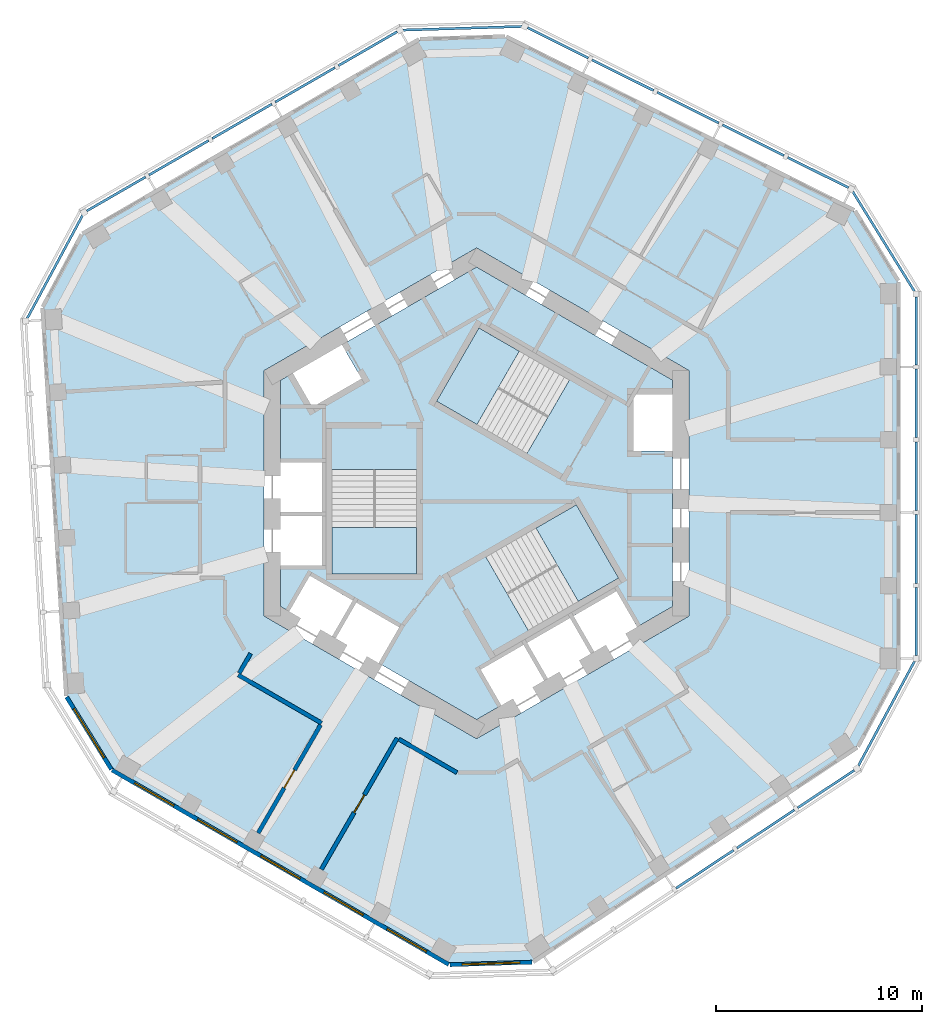
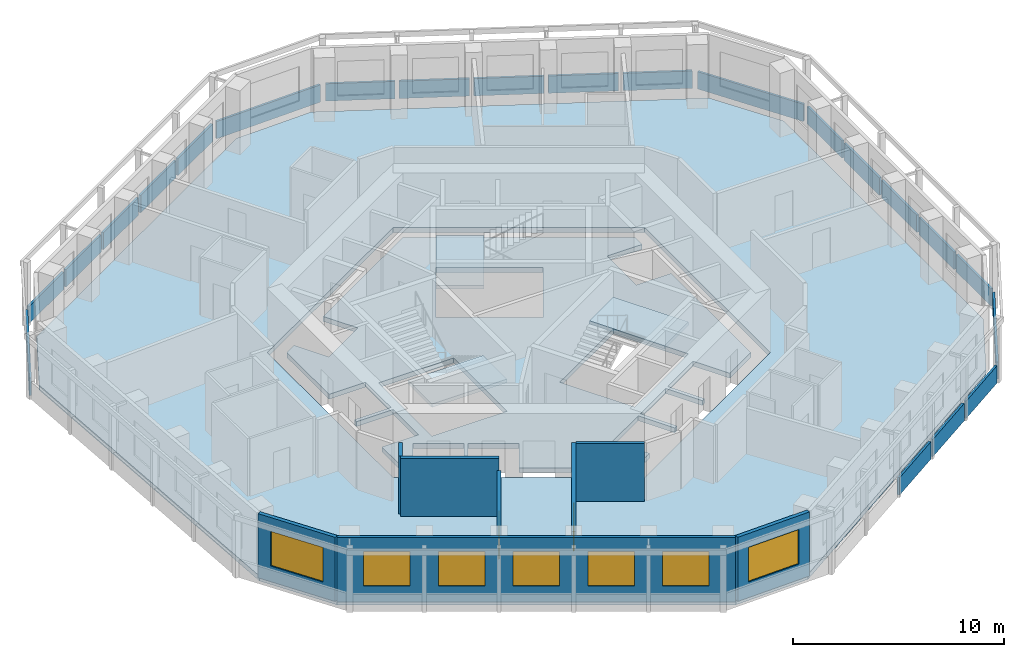
# One storey, part 3 of 11: 22 plates, 8 walls, 7 windows, 5 slabs, 2 doors, 9 openings, 11 elements without a shape of their own.
"""IFC4 building model written with IfcOpenShell, lengths in metres."""

from ifc_helpers import new_model, si_unit, direction, frame, frame_2d, origin, origin_2d, place, context, subcontext, project, spatial, polyline, rectangle, outline, extrude, material, layer, layer_set, type_object, element, fill, aggregate, save


model = new_model("IFC4")

# Units and contexts
model_context = context("Model", 3, precision=1e-05, world=origin(), true_north=direction((0.0, 1.0)))
body_context = subcontext(model_context, "Body", "Model", "MODEL_VIEW")
ifc_project = project(units=[si_unit("LENGTHUNIT", "METRE"), si_unit("AREAUNIT", "SQUARE_METRE"), si_unit("VOLUMEUNIT", "CUBIC_METRE"), si_unit("PLANEANGLEUNIT", "RADIAN"), si_unit("MASSUNIT", "GRAM", prefix="KILO")], contexts=[model_context])

# Site, building, storey
site_placement = place(None, origin())
site = spatial("IfcSite", under=ifc_project, at=site_placement, CompositionType="ELEMENT")
building_placement = place(site_placement, origin())
building = spatial("IfcBuilding", under=site, at=building_placement, Name="Vanh Sen Convention Tower", CompositionType="ELEMENT")
storey_placement = place(building_placement, frame((0.0, 0.0, 251.300048828125)))
storey = spatial("IfcBuildingStorey", under=building, at=storey_placement, Name="L62", CompositionType="ELEMENT", Elevation=251.300048828125)

# Slabs
ifc_material_1 = material(Name="Concrete C40/50", Category="concrete")
ifc_layer_1 = layer(ifc_material_1, 0.280029296875)
ifc_layer_set_1 = layer_set([ifc_layer_1], Name="Concrete C40/50")
slab_type_1 = type_object("IfcSlabType", Name="Core slab 280", PredefinedType="FLOOR", material=ifc_layer_set_1)
slab_1_placement = place(storey_placement, frame((0.0, 0.0, -0.280029296875)))
element("IfcSlab", 1, at=slab_1_placement, inside=storey, type_object=slab_type_1, Name="Core slab L62", PredefinedType="FLOOR", context=body_context, shape_type="SweptSolid", body=[
    extrude(outline(polyline([(0.0, 10.9697265625), (9.5, 5.48486328125), (9.5, 4.800048828125), (7.60009765625, 4.800048828125), (7.60009765625, 2.050048828125), (9.5, 2.050048828125), (9.5, -5.48486328125), (7.781005859375, -6.477294921875), (6.781005859375, -4.7451171875), (4.70263671875, -5.9453125), (5.70263671875, -7.67724609375), (5.529296875, -7.777099609375), (4.529296875, -6.045166015625), (2.450927734375, -7.2451171875), (3.450927734375, -8.977294921875), (3.27783203125, -9.0771484375), (2.27783203125, -7.34521484375), (0.19921875, -8.545166015625), (1.19921875, -10.277099609375), (0.0, -10.9697265625), (-4.75, -8.227294921875), (-3.75, -6.4951171875), (-5.82861328125, -5.295166015625), (-6.82861328125, -7.027099609375), (-7.001708984375, -6.92724609375), (-6.001708984375, -5.1953125), (-8.080078125, -3.9951171875), (-9.080078125, -5.727294921875), (-9.5, -5.48486328125), (-9.5, -3.5), (-7.5, -3.5), (-7.5, -1.10009765625), (-9.5, -1.10009765625), (-9.5, -0.89990234375), (-7.5, -0.89990234375), (-7.5, 1.5), (-9.5, 1.5), (-9.5, 5.48486328125), (-8.906982421875, 5.8271484375), (-7.956787109375, 4.181884765625), (-5.575439453125, 5.556884765625), (-6.525390625, 7.2021484375), (0.0, 10.9697265625)]), holes=[polyline([(-7.0, 1.1494140625), (-7.0, -3.909912109375), (-2.89990234375, -3.909912109375), (-2.89990234375, 1.1494140625), (-7.0, 1.1494140625)]), polyline([(2.504638671875, -6.63671875), (6.88623046875, -4.107177734375), (4.836181640625, -0.556396484375), (0.45458984375, -3.086181640625), (2.504638671875, -6.63671875)]), polyline([(0.11376953125, 8.01708984375), (-1.936279296875, 4.466552734375), (2.4453125, 1.936767578125), (4.495361328125, 5.487548828125), (0.11376953125, 8.01708984375)])]), origin(), (0.0, 0.0, 1.0), 0.280029296875),
])
ifc_layer_2 = layer(ifc_material_1, 0.280029296875)
ifc_layer_set_2 = layer_set([ifc_layer_2], Name="Concrete C40/50")
slab_type_2 = type_object("IfcSlabType", Name="Floor slab 280 REI 120", PredefinedType="FLOOR", material=ifc_layer_set_2)
slab_2_placement = place(storey_placement, frame((0.0, 0.0, -0.280029296875)))
element("IfcSlab", 2, at=slab_2_placement, inside=storey, type_object=slab_type_2, Name="Floor slab L62 tower", PredefinedType="FLOOR", context=body_context, shape_type="SweptSolid", body=[
    extrude(outline(polyline([(20.39990234375, -8.602783203125), (20.39990234375, 10.265380859375), (18.289306640625, 13.67626953125), (1.403564453125, 22.09521484375), (-2.749755859375, 21.96826171875), (-19.090087890625, 12.5341796875), (-20.988525390625, 9.000732421875), (-19.8369140625, -9.83203125), (-17.650146484375, -13.365478515625), (-1.309814453125, -22.799560546875), (2.699462890625, -22.677001953125), (18.433349609375, -12.26318359375), (20.39990234375, -8.602783203125)]), holes=[polyline([(0.0, 11.893310546875), (-10.300048828125, 5.94677734375), (-10.300048828125, -5.94677734375), (0.0, -11.893310546875), (10.300048828125, -5.94677734375), (10.300048828125, 5.94677734375), (0.0, 11.893310546875)])]), origin(), (0.0, 0.0, 1.0), 0.280029296875),
])

# Curtain wall, plates
ifc_material_2 = material(Name="Concrete C50/60", Category="concrete")
curtain_wall_type = type_object("IfcCurtainWallType", Name="Outer skin office zone", PredefinedType="NOTDEFINED", material=ifc_material_2)
curtain_wall_1_placement = place(storey_placement, origin())
curtain_wall_1 = element("IfcCurtainWall", 3, at=curtain_wall_1_placement, inside=storey, type_object=curtain_wall_type, Name="OUTER SKIN E L62", PredefinedType="NOTDEFINED")
ifc_layer_3 = layer(ifc_material_2, 0.1201171875)
ifc_layer_set_3 = layer_set([ifc_layer_3], Name="Concrete C50/60")
plate_type = type_object("IfcPlateType", Name="Outer skin precast screen panel 120", PredefinedType="CURTAIN_PANEL", material=ifc_layer_set_3)
plate_1_placement = place(storey_placement, frame((21.300048828125, -6.2109375, 0.0), z_axis=(0.0, 0.0, 1.0), x_axis=(0.0, 1.0, 0.0)))
plate_1 = element("IfcPlate", 4, at=plate_1_placement, type_object=plate_type, Name="OUTER SKIN screen panel E-1", PredefinedType="CURTAIN_PANEL", context=body_context, shape_type="SweptSolid", body=[
    extrude(rectangle(XDim=3.28369140625, YDim=0.1201171875, at=origin_2d()), origin(), (0.0, 0.0, 1.0), 1.0),
])
plate_2_placement = place(storey_placement, frame((21.300048828125, -2.702392578125, 0.0), z_axis=(0.0, 0.0, 1.0), x_axis=(0.0, 1.0, 0.0)))
plate_2 = element("IfcPlate", 5, at=plate_2_placement, type_object=plate_type, Name="OUTER SKIN screen panel E-2", PredefinedType="CURTAIN_PANEL", context=body_context, shape_type="SweptSolid", body=[
    extrude(rectangle(XDim=3.333740234375, YDim=0.1201171875, at=origin_2d()), origin(), (0.0, 0.0, 1.0), 1.0),
])
plate_3_placement = place(storey_placement, frame((21.300048828125, 0.831298828125, 0.0), z_axis=(0.0, 0.0, 1.0), x_axis=(0.0, 1.0, 0.0)))
plate_3 = element("IfcPlate", 6, at=plate_3_placement, type_object=plate_type, Name="OUTER SKIN screen panel E-3", PredefinedType="CURTAIN_PANEL", context=body_context, shape_type="SweptSolid", body=[
    extrude(rectangle(XDim=3.33349609375, YDim=0.1201171875, at=origin_2d()), origin(), (0.0, 0.0, 1.0), 1.0),
])
plate_4_placement = place(storey_placement, frame((21.300048828125, 4.364990234375, 0.0), z_axis=(0.0, 0.0, 1.0), x_axis=(0.0, 1.0, 0.0)))
plate_4 = element("IfcPlate", 7, at=plate_4_placement, type_object=plate_type, Name="OUTER SKIN screen panel E-4", PredefinedType="CURTAIN_PANEL", context=body_context, shape_type="SweptSolid", body=[
    extrude(rectangle(XDim=3.33349609375, YDim=0.1201171875, at=origin_2d()), origin(), (0.0, 0.0, 1.0), 1.0),
])
plate_5_placement = place(storey_placement, frame((21.300048828125, 7.87353515625, 0.0), z_axis=(0.0, 0.0, 1.0), x_axis=(0.0, 1.0, 0.0)))
plate_5 = element("IfcPlate", 8, at=plate_5_placement, type_object=plate_type, Name="OUTER SKIN screen panel E-5", PredefinedType="CURTAIN_PANEL", context=body_context, shape_type="SweptSolid", body=[
    extrude(rectangle(XDim=3.28369140625, YDim=0.1201171875, at=origin_2d()), origin(), (0.0, 0.0, 1.0), 1.0),
])
aggregate(curtain_wall_1, [plate_1, plate_2, plate_3, plate_4, plate_5])

# Curtain wall, plate
curtain_wall_2_placement = place(storey_placement, origin())
curtain_wall_2 = element("IfcCurtainWall", 9, at=curtain_wall_2_placement, inside=storey, type_object=curtain_wall_type, Name="OUTER SKIN CH1 L62", PredefinedType="NOTDEFINED")
plate_6_placement = place(storey_placement, frame((19.726806640625, 12.20751953125, 0.0), z_axis=(0.0, 0.0, 1.0), x_axis=(-0.526216891938, 0.850350388157, 0.0)))
plate_6 = element("IfcPlate", 10, at=plate_6_placement, type_object=plate_type, Name="OUTER SKIN screen panel CH1-1", PredefinedType="CURTAIN_PANEL", context=body_context, shape_type="SweptSolid", body=[
    extrude(rectangle(XDim=5.6787109375, YDim=0.1201171875, at=origin_2d()), origin(), (0.0, 0.0, 1.0), 1.0),
])
aggregate(curtain_wall_2, [plate_6])

# Curtain wall, plates
curtain_wall_3_placement = place(storey_placement, origin())
curtain_wall_3 = element("IfcCurtainWall", 11, at=curtain_wall_3_placement, inside=storey, type_object=curtain_wall_type, Name="OUTER SKIN NE L62", PredefinedType="NOTDEFINED")
plate_7_placement = place(storey_placement, frame((16.55029296875, 15.549072265625, 0.0), z_axis=(0.0, 0.0, 1.0), x_axis=(-0.894930467757, 0.446205622868, 0.0)))
plate_7 = element("IfcPlate", 12, at=plate_7_placement, type_object=plate_type, Name="OUTER SKIN screen panel NE-1", PredefinedType="CURTAIN_PANEL", context=body_context, shape_type="SweptSolid", body=[
    extrude(rectangle(XDim=3.28369140625, YDim=0.1201171875, at=origin_2d()), origin(), (0.0, 0.0, 1.0), 1.0),
])
plate_8_placement = place(storey_placement, frame((13.410400390625, 17.114501953125, 0.0), z_axis=(0.0, 0.0, 1.0), x_axis=(-0.894935919121, 0.446194689197, 0.0)))
plate_8 = element("IfcPlate", 13, at=plate_8_placement, type_object=plate_type, Name="OUTER SKIN screen panel NE-2", PredefinedType="CURTAIN_PANEL", context=body_context, shape_type="SweptSolid", body=[
    extrude(rectangle(XDim=3.333740234375, YDim=0.1201171875, at=origin_2d()), origin(), (0.0, 0.0, 1.0), 1.0),
])
plate_9_placement = place(storey_placement, frame((10.248046875, 18.691162109375, 0.0), z_axis=(0.0, 0.0, 1.0), x_axis=(-0.894935919121, 0.446194689197, 0.0)))
plate_9 = element("IfcPlate", 14, at=plate_9_placement, type_object=plate_type, Name="OUTER SKIN screen panel NE-3", PredefinedType="CURTAIN_PANEL", context=body_context, shape_type="SweptSolid", body=[
    extrude(rectangle(XDim=3.333740234375, YDim=0.1201171875, at=origin_2d()), origin(), (0.0, 0.0, 1.0), 1.0),
])
plate_10_placement = place(storey_placement, frame((7.085693359375, 20.267822265625, 0.0), z_axis=(0.0, 0.0, 1.0), x_axis=(-0.894935919121, 0.446194689197, 0.0)))
plate_10 = element("IfcPlate", 15, at=plate_10_placement, type_object=plate_type, Name="OUTER SKIN screen panel NE-4", PredefinedType="CURTAIN_PANEL", context=body_context, shape_type="SweptSolid", body=[
    extrude(rectangle(XDim=3.333740234375, YDim=0.1201171875, at=origin_2d()), origin(), (0.0, 0.0, 1.0), 1.0),
])
plate_11_placement = place(storey_placement, frame((3.945556640625, 21.83349609375, 0.0), z_axis=(0.0, 0.0, 1.0), x_axis=(-0.894930467757, 0.446205622868, 0.0)))
plate_11 = element("IfcPlate", 16, at=plate_11_placement, type_object=plate_type, Name="OUTER SKIN screen panel NE-5", PredefinedType="CURTAIN_PANEL", context=body_context, shape_type="SweptSolid", body=[
    extrude(rectangle(XDim=3.28369140625, YDim=0.1201171875, at=origin_2d()), origin(), (0.0, 0.0, 1.0), 1.0),
])
aggregate(curtain_wall_3, [plate_7, plate_8, plate_9, plate_10, plate_11])

# Curtain wall, plate
curtain_wall_4_placement = place(storey_placement, origin())
curtain_wall_4 = element("IfcCurtainWall", 17, at=curtain_wall_4_placement, inside=storey, type_object=curtain_wall_type, Name="OUTER SKIN CH2 L62", PredefinedType="NOTDEFINED")
plate_12_placement = place(storey_placement, frame((-0.688720703125, 22.540283203125, 0.0), z_axis=(0.0, 0.0, 1.0), x_axis=(-0.999533430924, -0.030543746755, 0.0)))
plate_12 = element("IfcPlate", 18, at=plate_12_placement, type_object=plate_type, Name="OUTER SKIN screen panel CH2-1", PredefinedType="CURTAIN_PANEL", context=body_context, shape_type="SweptSolid", body=[
    extrude(rectangle(XDim=5.764404296875, YDim=0.1201171875, at=origin_2d()), origin(), (0.0, 0.0, 1.0), 1.0),
])
aggregate(curtain_wall_4, [plate_12])

# Curtain wall, plates
curtain_wall_5_placement = place(storey_placement, origin())
curtain_wall_5 = element("IfcCurtainWall", 19, at=curtain_wall_5_placement, inside=storey, type_object=curtain_wall_type, Name="OUTER SKIN NW L62", PredefinedType="NOTDEFINED")
plate_13_placement = place(storey_placement, frame((-5.271240234375, 21.5517578125, 0.0), z_axis=(0.0, 0.0, 1.0), x_axis=(-0.866026276448, -0.4999984885, 0.0)))
plate_13 = element("IfcPlate", 20, at=plate_13_placement, type_object=plate_type, Name="OUTER SKIN screen panel NW-1", PredefinedType="CURTAIN_PANEL", context=body_context, shape_type="SweptSolid", body=[
    extrude(rectangle(XDim=3.28369140625, YDim=0.1201171875, at=origin_2d()), origin(), (0.0, 0.0, 1.0), 1.0),
])
plate_14_placement = place(storey_placement, frame((-8.309814453125, 19.797607421875, 0.0), z_axis=(0.0, 0.0, 1.0), x_axis=(-0.866026276448, -0.4999984885, 0.0)))
plate_14 = element("IfcPlate", 21, at=plate_14_placement, type_object=plate_type, Name="OUTER SKIN screen panel NW-2", PredefinedType="CURTAIN_PANEL", context=body_context, shape_type="SweptSolid", body=[
    extrude(rectangle(XDim=3.33349609375, YDim=0.1201171875, at=origin_2d()), origin(), (0.0, 0.0, 1.0), 1.0),
])
plate_15_placement = place(storey_placement, frame((-11.369873046875, 18.03076171875, 0.0), z_axis=(0.0, 0.0, 1.0), x_axis=(-0.866026276448, -0.4999984885, 0.0)))
plate_15 = element("IfcPlate", 22, at=plate_15_placement, type_object=plate_type, Name="OUTER SKIN screen panel NW-3", PredefinedType="CURTAIN_PANEL", context=body_context, shape_type="SweptSolid", body=[
    extrude(rectangle(XDim=3.33349609375, YDim=0.1201171875, at=origin_2d()), origin(), (0.0, 0.0, 1.0), 1.0),
])
plate_16_placement = place(storey_placement, frame((-14.43017578125, 16.263916015625, 0.0), z_axis=(0.0, 0.0, 1.0), x_axis=(-0.866014058921, -0.500019649364, 0.0)))
plate_16 = element("IfcPlate", 23, at=plate_16_placement, type_object=plate_type, Name="OUTER SKIN screen panel NW-4", PredefinedType="CURTAIN_PANEL", context=body_context, shape_type="SweptSolid", body=[
    extrude(rectangle(XDim=3.333740234375, YDim=0.1201171875, at=origin_2d()), origin(), (0.0, 0.0, 1.0), 1.0),
])
plate_17_placement = place(storey_placement, frame((-17.46875, 14.509521484375, 0.0), z_axis=(0.0, 0.0, 1.0), x_axis=(-0.866033257659, -0.499986396443, 0.0)))
plate_17 = element("IfcPlate", 24, at=plate_17_placement, type_object=plate_type, Name="OUTER SKIN screen panel NW-5", PredefinedType="CURTAIN_PANEL", context=body_context, shape_type="SweptSolid", body=[
    extrude(rectangle(XDim=3.28369140625, YDim=0.1201171875, at=origin_2d()), origin(), (0.0, 0.0, 1.0), 1.0),
])
aggregate(curtain_wall_5, [plate_13, plate_14, plate_15, plate_16, plate_17])

# Curtain wall, plate
curtain_wall_6_placement = place(storey_placement, origin())
curtain_wall_6 = element("IfcCurtainWall", 25, at=curtain_wall_6_placement, inside=storey, type_object=curtain_wall_type, Name="OUTER SKIN CH3 L62", PredefinedType="NOTDEFINED")
plate_18_placement = place(storey_placement, frame((-20.435302734375, 10.980224609375, 0.0), z_axis=(0.0, 0.0, 1.0), x_axis=(-0.473307367584, -0.880897346909, 0.0)))
plate_18 = element("IfcPlate", 26, at=plate_18_placement, type_object=plate_type, Name="OUTER SKIN screen panel CH3-1", PredefinedType="CURTAIN_PANEL", context=body_context, shape_type="SweptSolid", body=[
    extrude(rectangle(XDim=5.6787109375, YDim=0.1201171875, at=origin_2d()), origin(), (0.0, 0.0, 1.0), 1.0),
])
aggregate(curtain_wall_6, [plate_18])

# Curtain wall, plates
curtain_wall_7_placement = place(storey_placement, origin())
curtain_wall_7 = element("IfcCurtainWall", 27, at=curtain_wall_7_placement, inside=storey, type_object=curtain_wall_type, Name="OUTER SKIN SE L62", PredefinedType="NOTDEFINED")
plate_19_placement = place(storey_placement, frame((11.06298828125, -18.220703125, 0.0), z_axis=(0.0, 0.0, 1.0), x_axis=(0.833896418343, 0.551920975752, 0.0)))
plate_19 = element("IfcPlate", 28, at=plate_19_placement, type_object=plate_type, Name="OUTER SKIN screen panel SE-3", PredefinedType="CURTAIN_PANEL", context=body_context, shape_type="SweptSolid", body=[
    extrude(rectangle(XDim=3.333740234375, YDim=0.1201171875, at=origin_2d()), origin(), (0.0, 0.0, 1.0), 1.0),
])
plate_20_placement = place(storey_placement, frame((14.009765625, -16.270263671875, 0.0), z_axis=(0.0, 0.0, 1.0), x_axis=(0.833874262143, 0.551954450055, 0.0)))
plate_20 = element("IfcPlate", 29, at=plate_20_placement, type_object=plate_type, Name="OUTER SKIN screen panel SE-4", PredefinedType="CURTAIN_PANEL", context=body_context, shape_type="SweptSolid", body=[
    extrude(rectangle(XDim=3.33349609375, YDim=0.1201171875, at=origin_2d()), origin(), (0.0, 0.0, 1.0), 1.0),
])
plate_21_placement = place(storey_placement, frame((16.935546875, -14.333740234375, 0.0), z_axis=(0.0, 0.0, 1.0), x_axis=(0.833896418343, 0.551920975752, 0.0)))
plate_21 = element("IfcPlate", 30, at=plate_21_placement, type_object=plate_type, Name="OUTER SKIN screen panel SE-5", PredefinedType="CURTAIN_PANEL", context=body_context, shape_type="SweptSolid", body=[
    extrude(rectangle(XDim=3.28369140625, YDim=0.1201171875, at=origin_2d()), origin(), (0.0, 0.0, 1.0), 1.0),
])
aggregate(curtain_wall_7, [plate_19, plate_20, plate_21])

# Curtain wall, plate
curtain_wall_8_placement = place(storey_placement, origin())
curtain_wall_8 = element("IfcCurtainWall", 31, at=curtain_wall_8_placement, inside=storey, type_object=curtain_wall_type, Name="OUTER SKIN CH6 L62", PredefinedType="NOTDEFINED")
plate_22_placement = place(storey_placement, frame((19.864990234375, -10.673828125, 0.0), z_axis=(0.0, 0.0, 1.0), x_axis=(0.473313517396, 0.880894042579, 0.0)))
plate_22 = element("IfcPlate", 32, at=plate_22_placement, type_object=plate_type, Name="OUTER SKIN screen panel CH6-1", PredefinedType="CURTAIN_PANEL", context=body_context, shape_type="SweptSolid", body=[
    extrude(rectangle(XDim=5.76416015625, YDim=0.1201171875, at=origin_2d()), origin(), (0.0, 0.0, 1.0), 1.0),
])
aggregate(curtain_wall_8, [plate_22])

# Stair, slab
ifc_material_3 = material(Name="Concrete C50/60", Category="concrete")
stair_type_1 = type_object("IfcStairType", Name="Exit stair ST1 22 risers at 168.2", PredefinedType="HALF_TURN_STAIR", material=ifc_material_3)
stair_1_placement = place(storey_placement, origin())
stair_1 = element("IfcStair", 33, at=stair_1_placement, inside=storey, type_object=stair_type_1, Name="Exit stair ST1 L62", PredefinedType="HALF_TURN_STAIR")
ifc_layer_4 = layer(ifc_material_1, 0.199951171875)
ifc_layer_set_4 = layer_set([ifc_layer_4], Name="Concrete C40/50")
slab_type_3 = type_object("IfcSlabType", Name="Stair landing 200", PredefinedType="LANDING", material=ifc_layer_set_4)
slab_3_placement = place(storey_placement, frame((0.0, 0.0, 1.64990234375)))
slab_3 = element("IfcSlab", 34, at=slab_3_placement, type_object=slab_type_3, Name="ST1 landing 1", PredefinedType="LANDING", context=body_context, shape_type="SweptSolid", body=[
    extrude(outline(polyline([(2.07177734375, 6.88671875), (0.11376953125, 8.01708984375), (-1.936279296875, 4.466552734375), (0.021728515625, 3.336181640625), (2.07177734375, 6.88671875)])), origin(), (0.0, 0.0, 1.0), 0.199951171875),
])
aggregate(stair_1, [slab_3])

stair_type_2 = type_object("IfcStairType", Name="Exit stair ST2 22 risers at 168.2", PredefinedType="HALF_TURN_STAIR", material=ifc_material_3)
stair_2_placement = place(storey_placement, origin())
stair_2 = element("IfcStair", 35, at=stair_2_placement, inside=storey, type_object=stair_type_2, Name="Exit stair ST2 L62", PredefinedType="HALF_TURN_STAIR")
slab_4_placement = place(storey_placement, frame((0.0, 0.0, 1.64990234375)))
slab_4 = element("IfcSlab", 36, at=slab_4_placement, type_object=slab_type_3, Name="ST2 landing 1", PredefinedType="LANDING", context=body_context, shape_type="SweptSolid", body=[
    extrude(outline(polyline([(-7.0, -1.6494140625), (-7.0, -3.909912109375), (-2.89990234375, -3.909912109375), (-2.89990234375, -1.6494140625), (-7.0, -1.6494140625)])), origin(), (0.0, 0.0, 1.0), 0.199951171875),
])
aggregate(stair_2, [slab_4])

stair_type_3 = type_object("IfcStairType", Name="Exit stair ST3 22 risers at 168.2", PredefinedType="HALF_TURN_STAIR", material=ifc_material_3)
stair_3_placement = place(storey_placement, origin())
stair_3 = element("IfcStair", 37, at=stair_3_placement, inside=storey, type_object=stair_type_3, Name="Exit stair ST3 L62", PredefinedType="HALF_TURN_STAIR")
slab_5_placement = place(storey_placement, frame((0.0, 0.0, 1.64990234375)))
slab_5 = element("IfcSlab", 38, at=slab_5_placement, type_object=slab_type_3, Name="ST3 landing 1", PredefinedType="LANDING", context=body_context, shape_type="SweptSolid", body=[
    extrude(outline(polyline([(4.92822265625, -5.237548828125), (6.88623046875, -4.107177734375), (4.836181640625, -0.556396484375), (2.87841796875, -1.686767578125), (4.92822265625, -5.237548828125)])), origin(), (0.0, 0.0, 1.0), 0.199951171875),
])
aggregate(stair_3, [slab_5])

# Walls
ifc_material_4 = material(Name="Gypsum board on steel studs with mineral wool", Category="steel")
ifc_layer_5 = layer(ifc_material_4, 0.199951171875)
ifc_layer_set_5 = layer_set([ifc_layer_5], Name="Gypsum board on steel studs with mineral wool")
wall_type_1 = type_object("IfcWallType", Name="Corridor partition wall 200", PredefinedType="PARTITIONING", material=ifc_layer_set_5)
wall_1_placement = place(storey_placement, frame((-11.551025390625, -8.80517578125, 0.0), z_axis=(0.0, 0.0, 1.0), x_axis=(0.866038310922, -0.499977643516, 0.0)))
element("IfcWall", 39, at=wall_1_placement, inside=storey, type_object=wall_type_1, Name="Corridor partition wall 200", PredefinedType="PARTITIONING", context=body_context, shape_type="SweptSolid", body=[
    extrude(rectangle(XDim=4.665283203125, YDim=0.199951171875, at=frame_2d((2.33251953125, 0.0))), origin(), (0.0, 0.0, 1.0), 3.349853515625),
])
wall_2_placement = place(storey_placement, frame((-10.95068359375, -7.764892578125, 0.0), z_axis=(0.0, 0.0, 1.0), x_axis=(-0.499978356969, -0.866037899034, 0.0)))
element("IfcWall", 40, at=wall_2_placement, inside=storey, type_object=wall_type_1, Name="Corridor partition wall 200", PredefinedType="PARTITIONING", context=body_context, shape_type="SweptSolid", body=[
    extrude(rectangle(XDim=1.10107421875, YDim=0.199951171875, at=frame_2d((0.550537109375, 0.0))), origin(), (0.0, 0.0, 1.0), 3.349853515625),
])

# Wall, opening, door
wall_3_placement = place(storey_placement, frame((-10.585205078125, -16.462890625, 0.0), z_axis=(0.0, 0.0, 1.0), x_axis=(0.499993802756, 0.866028981735, 0.0)))
wall_3 = element("IfcWall", 41, at=wall_3_placement, inside=storey, type_object=wall_type_1, Name="Corridor partition wall 200", PredefinedType="PARTITIONING", context=body_context, shape_type="SweptSolid", body=[
    extrude(rectangle(XDim=6.048828125, YDim=0.199951171875, at=frame_2d((3.0244140625, 0.0))), origin(), (0.0, 0.0, 1.0), 2.64990234375),
])
opening_1_placement = place(wall_3_placement, frame((2.5244140625, 0.0, 0.0)))
opening_1 = element("IfcOpeningElement", 42, at=opening_1_placement, cuts=wall_3, Name="Opening D61110", PredefinedType="OPENING", context=body_context, shape_type="SweptSolid", body=[
    extrude(rectangle(XDim=1.0, YDim=2.10009765625, at=frame_2d((0.5, 1.050048828125))), frame((0.0, 0.10986328125, 0.0), z_axis=(0.0, -1.0, 0.0), x_axis=(1.0, 0.0, 0.0)), (0.0, 0.0, 1.0), 0.219970703125),
])
ifc_material_5 = material(Name="Glazed fire door in steel frame", Category="steel")
door_type = type_object("IfcDoorType", Name="Tenant entrance door 1000", OperationType="SINGLE_SWING_LEFT", PredefinedType="DOOR", material=ifc_material_5)
door_1_placement = place(opening_1_placement, origin())
door_1 = element("IfcDoor", 43, at=door_1_placement, inside=storey, type_object=door_type, Name="Tenant suite entrance door D61110", OperationType="SINGLE_SWING_LEFT", OverallHeight=2.10009765625, OverallWidth=1.0, PredefinedType="DOOR", context=body_context, shape_type="SweptSolid", body=[
    extrude(rectangle(XDim=1.0, YDim=2.10009765625, at=frame_2d((0.5, 1.050048828125))), frame((0.0, 0.02490234375, 0.0), z_axis=(0.0, -1.0, 0.0), x_axis=(1.0, 0.0, 0.0)), (0.0, 0.0, 1.0), 0.050048828125),
])
fill(opening_1, door_1)

wall_4_placement = place(storey_placement, frame((-7.52490234375, -18.229736328125, 0.0), z_axis=(0.0, 0.0, 1.0), x_axis=(0.499983153418, 0.866035129944, 0.0)))
wall_4 = element("IfcWall", 44, at=wall_4_placement, inside=storey, type_object=wall_type_1, Name="Corridor partition wall 200", PredefinedType="PARTITIONING", context=body_context, shape_type="SweptSolid", body=[
    extrude(rectangle(XDim=7.349853515625, YDim=0.199951171875, at=frame_2d((3.6748046875, 0.0))), origin(), (0.0, 0.0, 1.0), 3.349853515625),
])
opening_2_placement = place(wall_4_placement, frame((3.175048828125, 0.0, 0.0)))
opening_2 = element("IfcOpeningElement", 45, at=opening_2_placement, cuts=wall_4, Name="Opening D61113", PredefinedType="OPENING", context=body_context, shape_type="SweptSolid", body=[
    extrude(rectangle(XDim=1.0, YDim=2.10009765625, at=frame_2d((0.5, 1.050048828125))), frame((0.0, 0.10986328125, 0.0), z_axis=(0.0, -1.0, 0.0), x_axis=(1.0, 0.0, 0.0)), (0.0, 0.0, 1.0), 0.219970703125),
])
door_2_placement = place(opening_2_placement, origin())
door_2 = element("IfcDoor", 46, at=door_2_placement, inside=storey, type_object=door_type, Name="Tenant suite entrance door D61113", OperationType="SINGLE_SWING_LEFT", OverallHeight=2.10009765625, OverallWidth=1.0, PredefinedType="DOOR", context=body_context, shape_type="SweptSolid", body=[
    extrude(rectangle(XDim=1.0, YDim=2.10009765625, at=frame_2d((0.5, 1.050048828125))), frame((0.0, 0.02490234375, 0.0), z_axis=(0.0, -1.0, 0.0), x_axis=(1.0, 0.0, 0.0)), (0.0, 0.0, 1.0), 0.050048828125),
])
fill(opening_2, door_2)

# Wall
wall_5_placement = place(storey_placement, frame((-3.763427734375, -11.91455078125, 0.0), z_axis=(0.0, 0.0, 1.0), x_axis=(0.866037915695, -0.499978328108, 0.0)))
element("IfcWall", 47, at=wall_5_placement, inside=storey, type_object=wall_type_1, Name="Corridor partition wall 200", PredefinedType="PARTITIONING", context=body_context, shape_type="SweptSolid", body=[
    extrude(rectangle(XDim=3.248779296875, YDim=0.199951171875, at=frame_2d((1.62451171875, 0.0))), origin(), (0.0, 0.0, 1.0), 3.349853515625),
])

# Wall, opening, window
ifc_material_6 = material(Name="Insulated lightweight infill wall")
ifc_layer_6 = layer(ifc_material_6, 0.199951171875)
ifc_layer_set_6 = layer_set([ifc_layer_6], Name="Insulated lightweight infill wall")
wall_type_2 = type_object("IfcWallType", Name="External wall 200", PredefinedType="STANDARD", material=ifc_layer_set_6)
wall_6_placement = place(storey_placement, frame((-19.872802734375, -9.869140625, 0.0), z_axis=(0.0, 0.0, 1.0), x_axis=(0.52626914263, -0.850318051975, 0.0)))
wall_6 = element("IfcWall", 48, at=wall_6_placement, inside=storey, type_object=wall_type_2, Name="External wall CH4 L62", PredefinedType="STANDARD", context=body_context, shape_type="SweptSolid", body=[
    extrude(rectangle(XDim=4.130126953125, YDim=0.199951171875, at=frame_2d((2.06494140625, 0.0))), origin(), (0.0, 0.0, 1.0), 3.699951171875),
])
opening_3_placement = place(wall_6_placement, frame((0.6650390625, 0.0, 0.89990234375)))
opening_3 = element("IfcOpeningElement", 49, at=opening_3_placement, cuts=wall_6, Name="Opening WO4-CH41", PredefinedType="OPENING", context=body_context, shape_type="SweptSolid", body=[
    extrude(rectangle(XDim=2.800048828125, YDim=2.0, at=frame_2d((1.39990234375, 1.0))), frame((0.0, 0.10986328125, 0.0), z_axis=(0.0, -1.0, 0.0), x_axis=(1.0, 0.0, 0.0)), (0.0, 0.0, 1.0), 0.219970703125),
])
ifc_material_7 = material(Name="Aluminium frame with clear low-emissivity glass", Category="aluminium")
window_type_1 = type_object("IfcWindowType", Name="Office window 2800 x 2000", PartitioningType="SINGLE_PANEL", PredefinedType="WINDOW", material=ifc_material_7)
window_1_placement = place(opening_3_placement, origin())
window_1 = element("IfcWindow", 50, at=window_1_placement, inside=storey, type_object=window_type_1, Name="Window WO4-CH41", OverallHeight=2.0, OverallWidth=2.800048828125, PartitioningType="SINGLE_PANEL", PredefinedType="WINDOW", context=body_context, shape_type="SweptSolid", body=[
    extrude(rectangle(XDim=2.800048828125, YDim=2.0, at=frame_2d((1.39990234375, 1.0))), frame((0.0, 0.030029296875, 0.0), z_axis=(0.0, -1.0, 0.0), x_axis=(1.0, 0.0, 0.0)), (0.0, 0.0, 1.0), 0.06005859375),
])
fill(opening_3, window_1)

# Wall, openings, windows
wall_7_placement = place(storey_placement, frame((-17.664306640625, -13.4150390625, 0.0), z_axis=(0.0, 0.0, 1.0), x_axis=(0.866026555358, -0.49999800541, 0.0)))
wall_7 = element("IfcWall", 51, at=wall_7_placement, inside=storey, type_object=wall_type_2, Name="External wall SW L62", PredefinedType="STANDARD", context=body_context, shape_type="SweptSolid", body=[
    extrude(rectangle(XDim=18.84130859375, YDim=0.199951171875, at=frame_2d((9.420654296875, 0.0))), origin(), (0.0, 0.0, 1.0), 3.699951171875),
])
opening_4_placement = place(wall_7_placement, frame((1.254150390625, 0.0, 0.89990234375)))
opening_4 = element("IfcOpeningElement", 52, at=opening_4_placement, cuts=wall_7, Name="Opening WO3-SW1", PredefinedType="OPENING", context=body_context, shape_type="SweptSolid", body=[
    extrude(rectangle(XDim=2.199951171875, YDim=2.0, at=frame_2d((1.10009765625, 1.0))), frame((0.0, 0.10986328125, 0.0), z_axis=(0.0, -1.0, 0.0), x_axis=(1.0, 0.0, 0.0)), (0.0, 0.0, 1.0), 0.219970703125),
])
opening_5_placement = place(wall_7_placement, frame((4.787841796875, 0.0, 0.89990234375)))
opening_5 = element("IfcOpeningElement", 53, at=opening_5_placement, cuts=wall_7, Name="Opening WO3-SW2", PredefinedType="OPENING", context=body_context, shape_type="SweptSolid", body=[
    extrude(rectangle(XDim=2.199951171875, YDim=2.0, at=frame_2d((1.10009765625, 1.0))), frame((0.0, 0.10986328125, 0.0), z_axis=(0.0, -1.0, 0.0), x_axis=(1.0, 0.0, 0.0)), (0.0, 0.0, 1.0), 0.219970703125),
])
opening_6_placement = place(wall_7_placement, frame((8.321533203125, 0.0, 0.89990234375)))
opening_6 = element("IfcOpeningElement", 54, at=opening_6_placement, cuts=wall_7, Name="Opening WO3-SW3", PredefinedType="OPENING", context=body_context, shape_type="SweptSolid", body=[
    extrude(rectangle(XDim=2.199951171875, YDim=2.0, at=frame_2d((1.10009765625, 1.0))), frame((0.0, 0.10986328125, 0.0), z_axis=(0.0, -1.0, 0.0), x_axis=(1.0, 0.0, 0.0)), (0.0, 0.0, 1.0), 0.219970703125),
])
opening_7_placement = place(wall_7_placement, frame((11.85498046875, 0.0, 0.89990234375)))
opening_7 = element("IfcOpeningElement", 55, at=opening_7_placement, cuts=wall_7, Name="Opening WO3-SW4", PredefinedType="OPENING", context=body_context, shape_type="SweptSolid", body=[
    extrude(rectangle(XDim=2.199951171875, YDim=2.0, at=frame_2d((1.10009765625, 1.0))), frame((0.0, 0.10986328125, 0.0), z_axis=(0.0, -1.0, 0.0), x_axis=(1.0, 0.0, 0.0)), (0.0, 0.0, 1.0), 0.219970703125),
])
opening_8_placement = place(wall_7_placement, frame((15.388671875, 0.0, 0.89990234375)))
opening_8 = element("IfcOpeningElement", 56, at=opening_8_placement, cuts=wall_7, Name="Opening WO3-SW5", PredefinedType="OPENING", context=body_context, shape_type="SweptSolid", body=[
    extrude(rectangle(XDim=2.199951171875, YDim=2.0, at=frame_2d((1.10009765625, 1.0))), frame((0.0, 0.10986328125, 0.0), z_axis=(0.0, -1.0, 0.0), x_axis=(1.0, 0.0, 0.0)), (0.0, 0.0, 1.0), 0.219970703125),
])
window_type_2 = type_object("IfcWindowType", Name="Office window 2200 x 2000", PartitioningType="SINGLE_PANEL", PredefinedType="WINDOW", material=ifc_material_7)
window_2_placement = place(opening_4_placement, origin())
window_2 = element("IfcWindow", 57, at=window_2_placement, inside=storey, type_object=window_type_2, Name="Window WO3-SW1", OverallHeight=2.0, OverallWidth=2.199951171875, PartitioningType="SINGLE_PANEL", PredefinedType="WINDOW", context=body_context, shape_type="SweptSolid", body=[
    extrude(rectangle(XDim=2.199951171875, YDim=2.0, at=frame_2d((1.10009765625, 1.0))), frame((0.0, 0.030029296875, 0.0), z_axis=(0.0, -1.0, 0.0), x_axis=(1.0, 0.0, 0.0)), (0.0, 0.0, 1.0), 0.06005859375),
])
fill(opening_4, window_2)
window_3_placement = place(opening_5_placement, origin())
window_3 = element("IfcWindow", 58, at=window_3_placement, inside=storey, type_object=window_type_2, Name="Window WO3-SW2", OverallHeight=2.0, OverallWidth=2.199951171875, PartitioningType="SINGLE_PANEL", PredefinedType="WINDOW", context=body_context, shape_type="SweptSolid", body=[
    extrude(rectangle(XDim=2.199951171875, YDim=2.0, at=frame_2d((1.10009765625, 1.0))), frame((0.0, 0.030029296875, 0.0), z_axis=(0.0, -1.0, 0.0), x_axis=(1.0, 0.0, 0.0)), (0.0, 0.0, 1.0), 0.06005859375),
])
fill(opening_5, window_3)
window_4_placement = place(opening_6_placement, origin())
window_4 = element("IfcWindow", 59, at=window_4_placement, inside=storey, type_object=window_type_2, Name="Window WO3-SW3", OverallHeight=2.0, OverallWidth=2.199951171875, PartitioningType="SINGLE_PANEL", PredefinedType="WINDOW", context=body_context, shape_type="SweptSolid", body=[
    extrude(rectangle(XDim=2.199951171875, YDim=2.0, at=frame_2d((1.10009765625, 1.0))), frame((0.0, 0.030029296875, 0.0), z_axis=(0.0, -1.0, 0.0), x_axis=(1.0, 0.0, 0.0)), (0.0, 0.0, 1.0), 0.06005859375),
])
fill(opening_6, window_4)
window_5_placement = place(opening_7_placement, origin())
window_5 = element("IfcWindow", 60, at=window_5_placement, inside=storey, type_object=window_type_2, Name="Window WO3-SW4", OverallHeight=2.0, OverallWidth=2.199951171875, PartitioningType="SINGLE_PANEL", PredefinedType="WINDOW", context=body_context, shape_type="SweptSolid", body=[
    extrude(rectangle(XDim=2.199951171875, YDim=2.0, at=frame_2d((1.10009765625, 1.0))), frame((0.0, 0.030029296875, 0.0), z_axis=(0.0, -1.0, 0.0), x_axis=(1.0, 0.0, 0.0)), (0.0, 0.0, 1.0), 0.06005859375),
])
fill(opening_7, window_5)
window_6_placement = place(opening_8_placement, origin())
window_6 = element("IfcWindow", 61, at=window_6_placement, inside=storey, type_object=window_type_2, Name="Window WO3-SW5", OverallHeight=2.0, OverallWidth=2.199951171875, PartitioningType="SINGLE_PANEL", PredefinedType="WINDOW", context=body_context, shape_type="SweptSolid", body=[
    extrude(rectangle(XDim=2.199951171875, YDim=2.0, at=frame_2d((1.10009765625, 1.0))), frame((0.0, 0.030029296875, 0.0), z_axis=(0.0, -1.0, 0.0), x_axis=(1.0, 0.0, 0.0)), (0.0, 0.0, 1.0), 0.06005859375),
])
fill(opening_8, window_6)

# Wall, opening, window
wall_8_placement = place(storey_placement, frame((-1.294189453125, -22.84912109375, 0.0), z_axis=(0.0, 0.0, 1.0), x_axis=(0.999533952558, 0.030526671678, 0.0)))
wall_8 = element("IfcWall", 62, at=wall_8_placement, inside=storey, type_object=wall_type_2, Name="External wall CH5 L62", PredefinedType="STANDARD", context=body_context, shape_type="SweptSolid", body=[
    extrude(rectangle(XDim=3.98291015625, YDim=0.199951171875, at=frame_2d((1.991455078125, 0.0))), origin(), (0.0, 0.0, 1.0), 3.699951171875),
])
opening_9_placement = place(wall_8_placement, frame((0.59130859375, 0.0, 0.89990234375)))
opening_9 = element("IfcOpeningElement", 63, at=opening_9_placement, cuts=wall_8, Name="Opening WO4-CH51", PredefinedType="OPENING", context=body_context, shape_type="SweptSolid", body=[
    extrude(rectangle(XDim=2.800048828125, YDim=2.0, at=frame_2d((1.39990234375, 1.0))), frame((0.0, 0.10986328125, 0.0), z_axis=(0.0, -1.0, 0.0), x_axis=(1.0, 0.0, 0.0)), (0.0, 0.0, 1.0), 0.219970703125),
])
window_7_placement = place(opening_9_placement, origin())
window_7 = element("IfcWindow", 64, at=window_7_placement, inside=storey, type_object=window_type_1, Name="Window WO4-CH51", OverallHeight=2.0, OverallWidth=2.800048828125, PartitioningType="SINGLE_PANEL", PredefinedType="WINDOW", context=body_context, shape_type="SweptSolid", body=[
    extrude(rectangle(XDim=2.800048828125, YDim=2.0, at=frame_2d((1.39990234375, 1.0))), frame((0.0, 0.030029296875, 0.0), z_axis=(0.0, -1.0, 0.0), x_axis=(1.0, 0.0, 0.0)), (0.0, 0.0, 1.0), 0.06005859375),
])
fill(opening_9, window_7)

save(model, "model.ifc")
